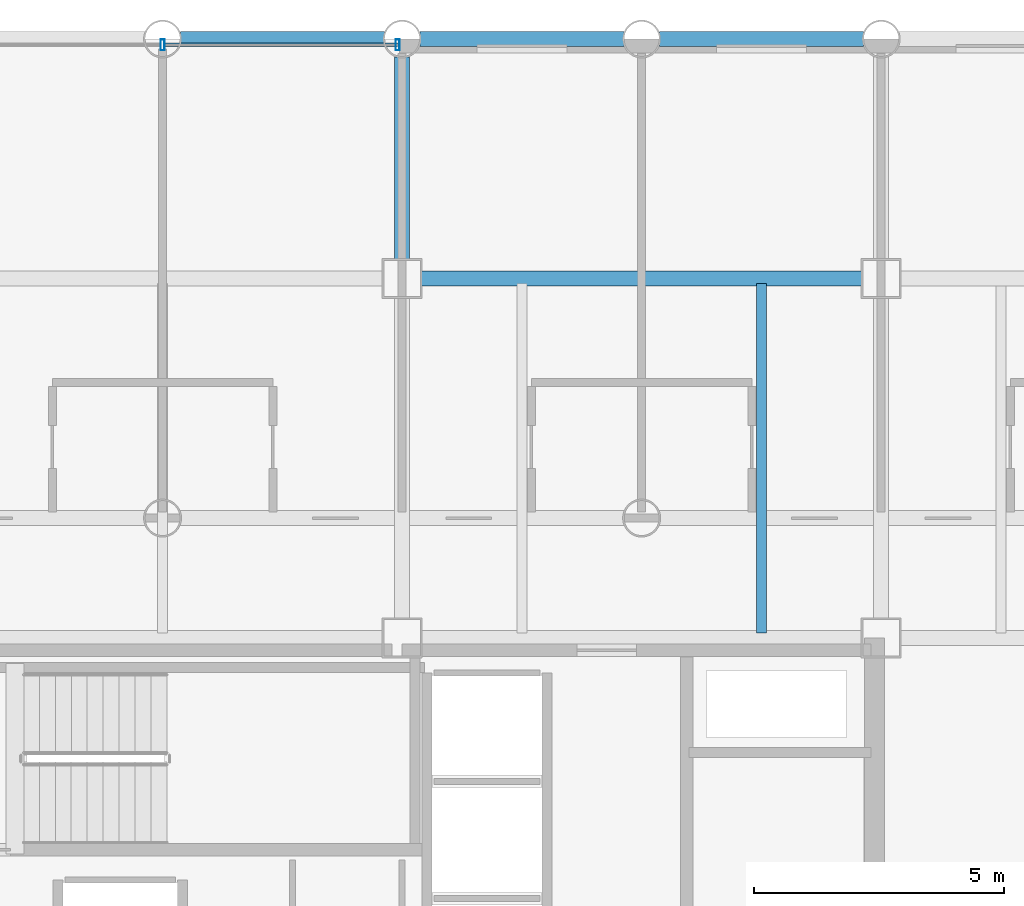
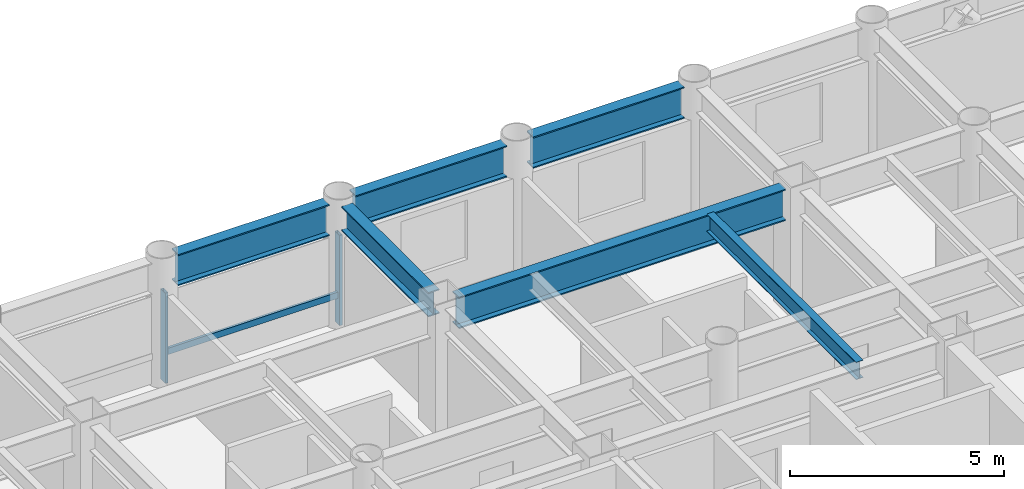
# One storey, part 12 of 22: 6 beams, 3 members, 1 element without a shape of its own.
"""IFC4 building model written with IfcOpenShell, lengths in metres."""

from ifc_helpers import new_model, si_unit, direction, frame, origin, origin_2d, place, context, subcontext, project, spatial, hollow_rectangle, i_section, extrude, material, layer, layer_set, material_profile, profile_set, type_object, element, aggregate, save


model = new_model("IFC4")

# Units and contexts
model_context = context("Model", 3, precision=1e-05, world=origin(), true_north=direction((0.0, 1.0)))
body_context = subcontext(model_context, "Body", "Model", "MODEL_VIEW")
ifc_project = project(units=[si_unit("LENGTHUNIT", "METRE"), si_unit("AREAUNIT", "SQUARE_METRE"), si_unit("VOLUMEUNIT", "CUBIC_METRE"), si_unit("PLANEANGLEUNIT", "RADIAN"), si_unit("MASSUNIT", "GRAM", prefix="KILO")], contexts=[model_context])

# Site, building, storey
site_placement = place(None, origin())
site = spatial("IfcSite", under=ifc_project, at=site_placement, CompositionType="ELEMENT")
building_placement = place(site_placement, origin())
building = spatial("IfcBuilding", under=site, at=building_placement, Name="Kallvorn Hotel Tower", CompositionType="ELEMENT")
storey_placement = place(building_placement, frame((0.0, 0.0, 37.39990234375)))
storey = spatial("IfcBuildingStorey", under=building, at=storey_placement, Name="L07", CompositionType="ELEMENT", Elevation=37.39990234375)

# Beams
ifc_material_1 = material(Name="Structural steel S355JR", Category="steel")
ifc_material_profile_1 = material_profile(ifc_material_1, i_section(OverallWidth=0.300048828125, OverallDepth=0.699951171875, WebThickness=0.01708984375, FlangeThickness=0.031982421875, at=origin_2d()), Name="HE 700 B")
ifc_profile_set_1 = profile_set([ifc_material_profile_1], Name="Structural steel S355JR")
beam_type_1 = type_object("IfcBeamType", Name="BM_HE700B", PredefinedType="BEAM", material=ifc_profile_set_1)
beam_1_placement = place(storey_placement, frame((4.800048828125, 14.77490234375, 3.170166015625), z_axis=(0.0, 1.0, 0.0), x_axis=(-1.0, 0.0, 0.0)))
element("IfcBeam", 1, at=beam_1_placement, inside=storey, type_object=beam_type_1, Name="L08 Primary Y-Girder 118", PredefinedType="BEAM", context=body_context, shape_type="SweptSolid", body=[
    extrude(i_section(OverallWidth=0.300048828125, OverallDepth=0.699951171875, WebThickness=0.01708984375, FlangeThickness=0.031982421875, at=origin_2d()), origin(), (0.0, 0.0, 1.0), 4.069091796875),
])
ifc_material_2 = material(Name="Structural steel S355JR", Category="steel")
ifc_material_profile_2 = material_profile(ifc_material_2, i_section(OverallWidth=0.300048828125, OverallDepth=0.89990234375, WebThickness=0.0185546875, FlangeThickness=0.034912109375, at=origin_2d()), Name="HE 900 B")
ifc_profile_set_2 = profile_set([ifc_material_profile_2], Name="Structural steel S355JR")
beam_type_2 = type_object("IfcBeamType", Name="BM_HE900B", PredefinedType="BEAM", material=ifc_profile_set_2)
beam_2_placement = place(storey_placement, frame((5.175048828125, 14.39990234375, 3.070068359375), z_axis=(1.0, 0.0, 0.0), x_axis=(0.0, 1.0, 0.0)))
element("IfcBeam", 2, at=beam_2_placement, inside=storey, type_object=beam_type_2, Name="L08 Primary X-Girder 57", PredefinedType="BEAM", context=body_context, shape_type="SweptSolid", body=[
    extrude(i_section(OverallWidth=0.300048828125, OverallDepth=0.89990234375, WebThickness=0.0185546875, FlangeThickness=0.034912109375, at=origin_2d()), origin(), (0.0, 0.0, 1.0), 8.849853515625),
])
beam_3_placement = place(storey_placement, frame((0.35595703125, 19.199951171875, 3.070068359375), z_axis=(1.0, 0.0, 0.0), x_axis=(0.0, 1.0, 0.0)))
element("IfcBeam", 3, at=beam_3_placement, inside=storey, type_object=beam_type_2, Name="L08 Primary X-Girder 67", PredefinedType="BEAM", context=body_context, shape_type="SweptSolid", body=[
    extrude(i_section(OverallWidth=0.300048828125, OverallDepth=0.89990234375, WebThickness=0.0185546875, FlangeThickness=0.034912109375, at=origin_2d()), origin(), (0.0, 0.0, 1.0), 4.088134765625),
])
for number, where, z_axis, x_axis, name in (
    (4, (5.156005859375, 19.199951171875, 3.070068359375), (1.0, 0.0, 0.0), (0.0, 1.0, 0.0), "L08 Primary X-Girder 68"),
    (5, (9.9560546875, 19.199951171875, 3.070068359375), (1.0, 0.0, 0.0), (0.0, 1.0, 0.0), "L08 Primary X-Girder 69"),
):
    element("IfcBeam", number, at=place(storey_placement, frame(where, z_axis=z_axis, x_axis=x_axis)), inside=storey, type_object=beam_type_2, Name=name, PredefinedType="BEAM", context=body_context, shape_type="SweptSolid", body=[
        extrude(i_section(OverallWidth=0.300048828125, OverallDepth=0.89990234375, WebThickness=0.0185546875, FlangeThickness=0.034912109375, at=origin_2d()), origin(), (0.0, 0.0, 1.0), 4.087890625),
    ])
ifc_material_3 = material(Name="Structural steel S355JR", Category="steel")
ifc_material_profile_3 = material_profile(ifc_material_3, i_section(OverallWidth=0.199951171875, OverallDepth=0.5, WebThickness=0.01025390625, FlangeThickness=0.01611328125, at=origin_2d()), Name="IPE 500")
ifc_profile_set_3 = profile_set([ifc_material_profile_3], Name="Structural steel S355JR")
beam_type_3 = type_object("IfcBeamType", Name="BM_IPE500", PredefinedType="JOIST", material=ifc_profile_set_3)
beam_4_placement = place(storey_placement, frame((12.0, 7.300048828125, 3.27001953125), z_axis=(0.0, 1.0, 0.0), x_axis=(-1.0, 0.0, 0.0)))
element("IfcBeam", 6, at=beam_4_placement, inside=storey, type_object=beam_type_3, Name="L08 Secondary Composite Joist 205", PredefinedType="JOIST", context=body_context, shape_type="SweptSolid", body=[
    extrude(i_section(OverallWidth=0.199951171875, OverallDepth=0.5, WebThickness=0.01025390625, FlangeThickness=0.01611328125, at=origin_2d()), origin(), (0.0, 0.0, 1.0), 7.0),
])

# Curtain wall, members
ifc_material_4 = material(Name="Thermally broken black-anodised aluminium AA 6063-T6", Category="aluminium")
ifc_layer = layer(ifc_material_4, 0.199951171875)
ifc_layer_set = layer_set([ifc_layer], Name="CW_SYS_3_HOTEL_LOW")
curtain_wall_type = type_object("IfcCurtainWallType", Name="CW_SYS_3_HOTEL_LOW", PredefinedType="USERDEFINED", material=ifc_layer_set)
curtain_wall_placement = place(storey_placement, origin())
curtain_wall = element("IfcCurtainWall", 7, at=curtain_wall_placement, inside=storey, type_object=curtain_wall_type, Name="L07 Dark-Glass Curtain Wall CW-L07-NC", ObjectType="UNITISED CURTAIN WALL", PredefinedType="USERDEFINED")
ifc_material_5 = material(Name="Thermally broken black-anodised aluminium AA 6063-T6", Category="aluminium")
ifc_material_profile_4 = material_profile(ifc_material_5, hollow_rectangle(XDim=0.080078125, YDim=0.219970703125, WallThickness=0.0048828125, at=origin_2d()), Name="MUL 220x80")
ifc_profile_set_4 = profile_set([ifc_material_profile_4], Name="Thermally broken black-anodised aluminium AA 6063-T6")
member_type_1 = type_object("IfcMemberType", Name="CW_MULLION_220x80", PredefinedType="MULLION", material=ifc_profile_set_4)
member_1_placement = place(storey_placement, frame((0.0, 19.080078125, 0.02001953125), z_axis=(0.0, 0.0, 1.0), x_axis=(1.0, 0.0, 0.0)))
member_1 = element("IfcMember", 8, at=member_1_placement, type_object=member_type_1, Name="CW-L07-NC Mullion 01", PredefinedType="MULLION", context=body_context, shape_type="SweptSolid", body=[
    extrude(hollow_rectangle(XDim=0.080078125, YDim=0.219970703125, WallThickness=0.0048828125, at=origin_2d()), origin(), (0.0, 0.0, 1.0), 2.580078125),
])
member_2_placement = place(storey_placement, frame((4.7099609375, 19.080078125, 0.02001953125), z_axis=(0.0, 0.0, 1.0), x_axis=(1.0, 0.0, 0.0)))
member_2 = element("IfcMember", 9, at=member_2_placement, type_object=member_type_1, Name="CW-L07-NC Mullion 02", PredefinedType="MULLION", context=body_context, shape_type="SweptSolid", body=[
    extrude(hollow_rectangle(XDim=0.080078125, YDim=0.219970703125, WallThickness=0.0048828125, at=origin_2d()), origin(), (0.0, 0.0, 1.0), 2.580078125),
])
ifc_material_6 = material(Name="Thermally broken black-anodised aluminium AA 6063-T6", Category="aluminium")
ifc_material_profile_5 = material_profile(ifc_material_6, hollow_rectangle(XDim=0.070068359375, YDim=0.179931640625, WallThickness=0.00390625, at=origin_2d()), Name="TRN 180x70")
ifc_profile_set_5 = profile_set([ifc_material_profile_5], Name="Thermally broken black-anodised aluminium AA 6063-T6")
member_type_2 = type_object("IfcMemberType", Name="CW_TRANSOM_180x70", PredefinedType="USERDEFINED", material=ifc_profile_set_5)
member_3_placement = place(storey_placement, frame((0.0400390625, 19.080078125, 0.85009765625), z_axis=(1.0, 0.0, 0.0), x_axis=(0.0, 1.0, 0.0)))
member_3 = element("IfcMember", 10, at=member_3_placement, type_object=member_type_2, Name="CW-L07-NC Transom 01M", ObjectType="TRANSOM", PredefinedType="USERDEFINED", context=body_context, shape_type="SweptSolid", body=[
    extrude(hollow_rectangle(XDim=0.070068359375, YDim=0.179931640625, WallThickness=0.00390625, at=origin_2d()), origin(), (0.0, 0.0, 1.0), 4.669921875),
])
aggregate(curtain_wall, [member_1, member_2, member_3])

save(model, "model.ifc")
